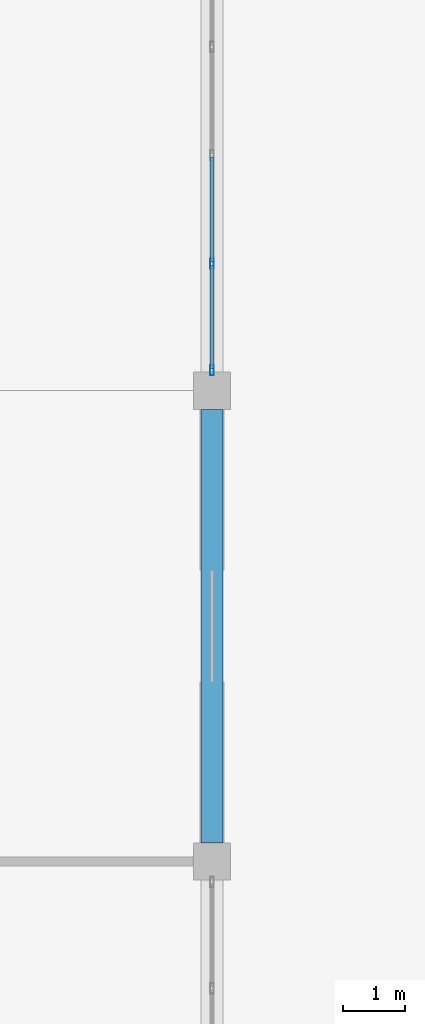
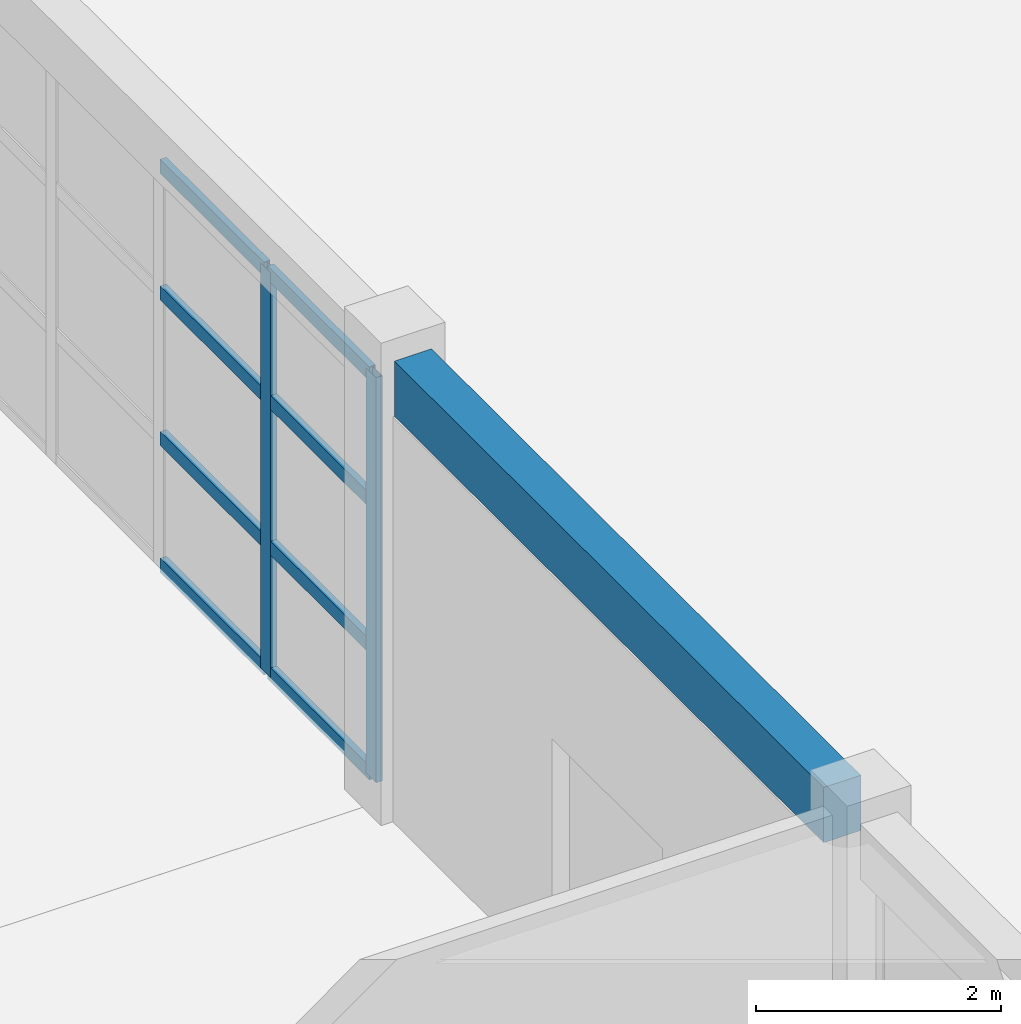
# One storey, part 15 of 32: 10 members, 1 beam, 1 element without a shape of its own.
"""IFC4 building model written with IfcOpenShell, lengths in metres."""

from ifc_helpers import new_model, si_unit, direction, frame, origin, origin_2d, place, context, subcontext, project, spatial, rectangle, hollow_rectangle, extrude, material, material_profile, profile_set, type_object, element, aggregate, save


model = new_model("IFC4")

# Units and contexts
model_context = context("Model", 3, precision=1e-05, world=origin(), true_north=direction((0.0, 1.0)))
body_context = subcontext(model_context, "Body", "Model", "MODEL_VIEW")
ifc_project = project(units=[si_unit("LENGTHUNIT", "METRE"), si_unit("AREAUNIT", "SQUARE_METRE"), si_unit("VOLUMEUNIT", "CUBIC_METRE"), si_unit("PLANEANGLEUNIT", "RADIAN"), si_unit("MASSUNIT", "GRAM", prefix="KILO")], contexts=[model_context])

# Site, building, storey
site_placement = place(None, origin())
site = spatial("IfcSite", under=ifc_project, at=site_placement, CompositionType="ELEMENT")
building_placement = place(site_placement, origin())
building = spatial("IfcBuilding", under=site, at=building_placement, Name="Zantavel Square City Hall", CompositionType="ELEMENT")
storey_placement = place(building_placement, frame((0.0, 0.0, 23.699951171875)))
storey = spatial("IfcBuildingStorey", under=building, at=storey_placement, Name="L06", CompositionType="ELEMENT", Elevation=23.699951171875)

# Curtain wall, members
ifc_material_1 = material(Name="Anodised aluminium 6063-T6", Category="aluminium")
curtain_wall_type = type_object("IfcCurtainWallType", Name="Curtain Wall TRV1 7000x4030", PredefinedType="USERDEFINED", material=ifc_material_1)
curtain_wall_placement = place(storey_placement, origin())
curtain_wall = element("IfcCurtainWall", 1, at=curtain_wall_placement, inside=storey, type_object=curtain_wall_type, Name="L06 Glazed Curtain Wall CW-L06-152", ObjectType="GLAZED CURTAIN WALL", PredefinedType="USERDEFINED")
ifc_material_profile_1 = material_profile(ifc_material_1, hollow_rectangle(XDim=0.06005859375, YDim=0.1650390625, WallThickness=0.00390625, at=origin_2d()), Name="ALU 60x165x4")
ifc_profile_set_1 = profile_set([ifc_material_profile_1], Name="Anodised aluminium 6063-T6")
member_type_1 = type_object("IfcMemberType", Name="CW Council Gallery Mullion ALU 60x165x4", PredefinedType="MULLION", material=ifc_profile_set_1)
member_1_placement = place(storey_placement, frame((104.0, 47.64990234375, 0.0), z_axis=(0.0, 0.0, 1.0), x_axis=(1.0, 0.0, 0.0)))
member_1 = element("IfcMember", 2, at=member_1_placement, type_object=member_type_1, Name="CW-152 mullion 4", PredefinedType="MULLION", context=body_context, shape_type="SweptSolid", body=[
    extrude(hollow_rectangle(XDim=0.06005859375, YDim=0.1650390625, WallThickness=0.00390625, at=origin_2d()), origin(), (0.0, 0.0, 1.0), 4.030029296875),
])
member_2_placement = place(storey_placement, frame((104.0, 45.929931640625, 0.0), z_axis=(0.0, 0.0, 1.0), x_axis=(1.0, 0.0, 0.0)))
member_2 = element("IfcMember", 3, at=member_2_placement, type_object=member_type_1, Name="CW-152 mullion 5", PredefinedType="MULLION", context=body_context, shape_type="SweptSolid", body=[
    extrude(hollow_rectangle(XDim=0.06005859375, YDim=0.1650390625, WallThickness=0.00390625, at=origin_2d()), origin(), (0.0, 0.0, 1.0), 4.030029296875),
])
ifc_material_profile_2 = material_profile(ifc_material_1, hollow_rectangle(XDim=0.06005859375, YDim=0.139892578125, WallThickness=0.00390625, at=origin_2d()), Name="ALU 60x140x4")
ifc_profile_set_2 = profile_set([ifc_material_profile_2], Name="Anodised aluminium 6063-T6")
member_type_2 = type_object("IfcMemberType", Name="CW Transom ALU 60x140x4", PredefinedType="USERDEFINED", material=ifc_profile_set_2)
member_3_placement = place(storey_placement, frame((104.0, 49.3701171875, 0.030029296875), z_axis=(0.0, -1.0, 0.0), x_axis=(1.0, 0.0, 0.0)))
member_3 = element("IfcMember", 4, at=member_3_placement, type_object=member_type_2, Name="CW-152 transom 3.1", ObjectType="TRANSOM", PredefinedType="USERDEFINED", context=body_context, shape_type="SweptSolid", body=[
    extrude(hollow_rectangle(XDim=0.06005859375, YDim=0.139892578125, WallThickness=0.00390625, at=origin_2d()), origin(), (0.0, 0.0, 1.0), 1.690185546875),
])
member_4_placement = place(storey_placement, frame((104.0, 49.3701171875, 1.2900390625), z_axis=(0.0, -1.0, 0.0), x_axis=(1.0, 0.0, 0.0)))
member_4 = element("IfcMember", 5, at=member_4_placement, type_object=member_type_2, Name="CW-152 transom 3.2", ObjectType="TRANSOM", PredefinedType="USERDEFINED", context=body_context, shape_type="SweptSolid", body=[
    extrude(hollow_rectangle(XDim=0.06005859375, YDim=0.139892578125, WallThickness=0.00390625, at=origin_2d()), origin(), (0.0, 0.0, 1.0), 1.690185546875),
])
member_5_placement = place(storey_placement, frame((104.0, 49.3701171875, 2.739990234375), z_axis=(0.0, -1.0, 0.0), x_axis=(1.0, 0.0, 0.0)))
member_5 = element("IfcMember", 6, at=member_5_placement, type_object=member_type_2, Name="CW-152 transom 3.3", ObjectType="TRANSOM", PredefinedType="USERDEFINED", context=body_context, shape_type="SweptSolid", body=[
    extrude(hollow_rectangle(XDim=0.06005859375, YDim=0.139892578125, WallThickness=0.00390625, at=origin_2d()), origin(), (0.0, 0.0, 1.0), 1.690185546875),
])
member_6_placement = place(storey_placement, frame((104.0, 49.3701171875, 4.0), z_axis=(0.0, -1.0, 0.0), x_axis=(1.0, 0.0, 0.0)))
member_6 = element("IfcMember", 7, at=member_6_placement, type_object=member_type_2, Name="CW-152 transom 3.4", ObjectType="TRANSOM", PredefinedType="USERDEFINED", context=body_context, shape_type="SweptSolid", body=[
    extrude(hollow_rectangle(XDim=0.06005859375, YDim=0.139892578125, WallThickness=0.00390625, at=origin_2d()), origin(), (0.0, 0.0, 1.0), 1.690185546875),
])
member_7_placement = place(storey_placement, frame((104.0, 47.6201171875, 0.030029296875), z_axis=(0.0, -1.0, 0.0), x_axis=(1.0, 0.0, 0.0)))
member_7 = element("IfcMember", 8, at=member_7_placement, type_object=member_type_2, Name="CW-152 transom 4.1", ObjectType="TRANSOM", PredefinedType="USERDEFINED", context=body_context, shape_type="SweptSolid", body=[
    extrude(hollow_rectangle(XDim=0.06005859375, YDim=0.139892578125, WallThickness=0.00390625, at=origin_2d()), origin(), (0.0, 0.0, 1.0), 1.66015625),
])
member_8_placement = place(storey_placement, frame((104.0, 47.6201171875, 1.2900390625), z_axis=(0.0, -1.0, 0.0), x_axis=(1.0, 0.0, 0.0)))
member_8 = element("IfcMember", 9, at=member_8_placement, type_object=member_type_2, Name="CW-152 transom 4.2", ObjectType="TRANSOM", PredefinedType="USERDEFINED", context=body_context, shape_type="SweptSolid", body=[
    extrude(hollow_rectangle(XDim=0.06005859375, YDim=0.139892578125, WallThickness=0.00390625, at=origin_2d()), origin(), (0.0, 0.0, 1.0), 1.66015625),
])
member_9_placement = place(storey_placement, frame((104.0, 47.6201171875, 2.739990234375), z_axis=(0.0, -1.0, 0.0), x_axis=(1.0, 0.0, 0.0)))
member_9 = element("IfcMember", 10, at=member_9_placement, type_object=member_type_2, Name="CW-152 transom 4.3", ObjectType="TRANSOM", PredefinedType="USERDEFINED", context=body_context, shape_type="SweptSolid", body=[
    extrude(hollow_rectangle(XDim=0.06005859375, YDim=0.139892578125, WallThickness=0.00390625, at=origin_2d()), origin(), (0.0, 0.0, 1.0), 1.66015625),
])
member_10_placement = place(storey_placement, frame((104.0, 47.6201171875, 4.0), z_axis=(0.0, -1.0, 0.0), x_axis=(1.0, 0.0, 0.0)))
member_10 = element("IfcMember", 11, at=member_10_placement, type_object=member_type_2, Name="CW-152 transom 4.4", ObjectType="TRANSOM", PredefinedType="USERDEFINED", context=body_context, shape_type="SweptSolid", body=[
    extrude(hollow_rectangle(XDim=0.06005859375, YDim=0.139892578125, WallThickness=0.00390625, at=origin_2d()), origin(), (0.0, 0.0, 1.0), 1.66015625),
])
aggregate(curtain_wall, [member_1, member_2, member_3, member_4, member_5, member_6, member_7, member_8, member_9, member_10])

# Beam
ifc_material_2 = material(Name="Concrete C35/45", Category="concrete")
ifc_material_profile_3 = material_profile(ifc_material_2, rectangle(XDim=0.35009765625, YDim=0.550048828125, at=origin_2d()), Name="RC 350x550")
ifc_profile_set_3 = profile_set([ifc_material_profile_3], Name="Concrete C35/45")
beam_type = type_object("IfcBeamType", Name="Secondary Beam RC 350x550 C35/45", PredefinedType="BEAM", material=ifc_profile_set_3)
beam_placement = place(storey_placement, frame((104.0, 38.300048828125, 4.304931640625), z_axis=(0.0, 1.0, 0.0), x_axis=(-1.0, 0.0, 0.0)))
element("IfcBeam", 12, at=beam_placement, inside=storey, type_object=beam_type, Name="L06 Beam BMY-L06-1040-0380", PredefinedType="BEAM", context=body_context, shape_type="SweptSolid", body=[
    extrude(rectangle(XDim=0.35009765625, YDim=0.550048828125, at=origin_2d()), origin(), (0.0, 0.0, 1.0), 7.0),
])

save(model, "model.ifc")
